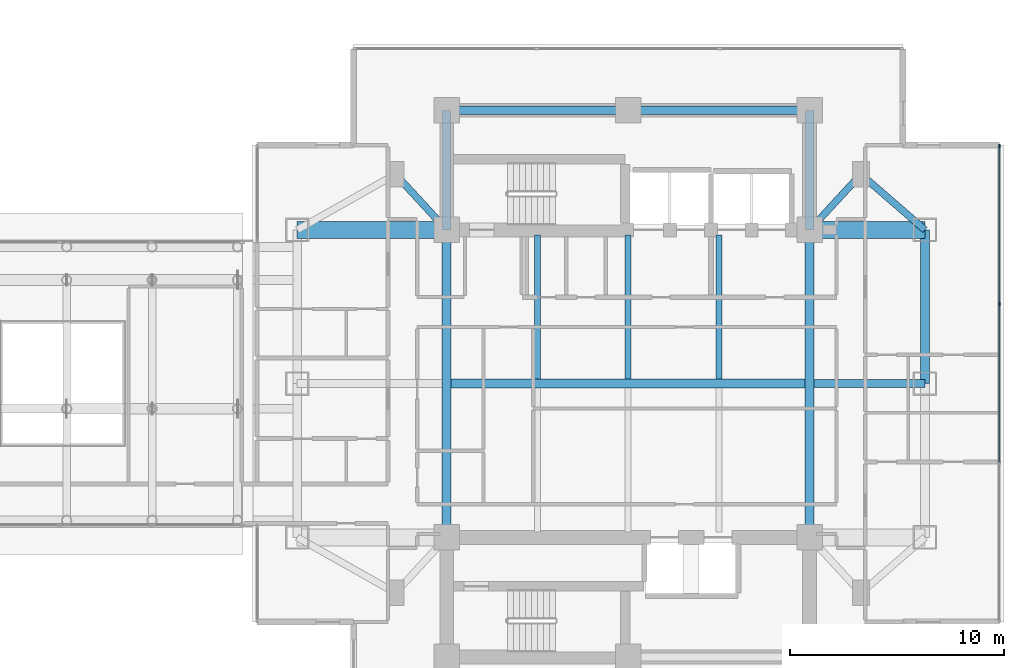
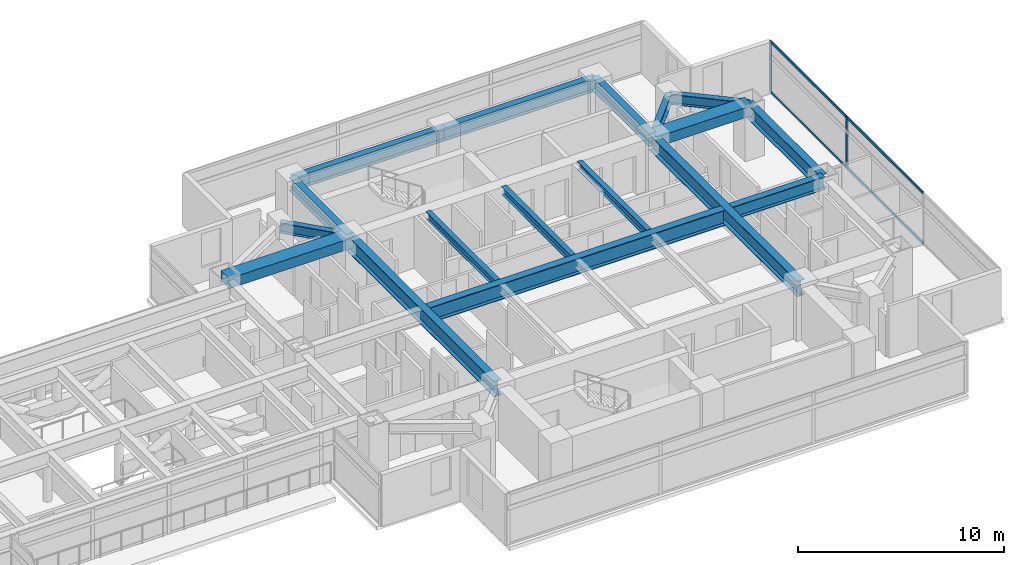
# One storey, part 10 of 28: 17 beams, 6 members, 1 element without a shape of its own.
"""IFC4 building model written with IfcOpenShell, lengths in metres."""

from ifc_helpers import new_model, si_unit, direction, frame, origin, origin_2d, place, context, subcontext, project, spatial, rectangle, i_section, extrude, material, material_profile, profile_set, type_object, element, aggregate, save


model = new_model("IFC4")

# Units and contexts
model_context = context("Model", 3, precision=1e-05, world=origin(), true_north=direction((0.0, 1.0)))
body_context = subcontext(model_context, "Body", "Model", "MODEL_VIEW")
ifc_project = project(units=[si_unit("LENGTHUNIT", "METRE"), si_unit("AREAUNIT", "SQUARE_METRE"), si_unit("VOLUMEUNIT", "CUBIC_METRE"), si_unit("PLANEANGLEUNIT", "RADIAN"), si_unit("MASSUNIT", "GRAM", prefix="KILO")], contexts=[model_context])

# Site, building, storey
site_placement = place(None, origin())
site = spatial("IfcSite", under=ifc_project, at=site_placement, CompositionType="ELEMENT")
building_placement = place(site_placement, origin())
building = spatial("IfcBuilding", under=site, at=building_placement, Name="Mirazonda Arch Towers", CompositionType="ELEMENT")
storey_placement = place(building_placement, frame((0.0, 0.0, 91.699951171875)))
storey = spatial("IfcBuildingStorey", under=building, at=storey_placement, Name="L25", CompositionType="ELEMENT", Elevation=91.699951171875)

# Beams
ifc_material_1 = material(Name="Steel ASTM A992 Grade 50", Category="steel")
ifc_material_profile_1 = material_profile(ifc_material_1, i_section(OverallWidth=0.39990234375, OverallDepth=0.85595703125, WebThickness=0.018310546875, FlangeThickness=0.029296875, at=origin_2d()), Name="W33X201")
ifc_profile_set_1 = profile_set([ifc_material_profile_1], Name="Steel ASTM A992 Grade 50")
beam_type_1 = type_object("IfcBeamType", Name="BM-EXT-W33X201", PredefinedType="USERDEFINED", material=ifc_profile_set_1)
beam_1_placement = place(storey_placement, frame((90.39990234375, 28.0, 2.652099609375), z_axis=(0.0, 1.0, 0.0), x_axis=(-1.0, 0.0, 0.0)))
element("IfcBeam", 1, at=beam_1_placement, inside=storey, type_object=beam_type_1, Name="L25 Floor Beam BM-T2-L25-NS-E-28", ObjectType="GIRDER", PredefinedType="USERDEFINED", context=body_context, shape_type="SweptSolid", body=[
    extrude(i_section(OverallWidth=0.39990234375, OverallDepth=0.85595703125, WebThickness=0.018310546875, FlangeThickness=0.029296875, at=origin_2d()), origin(), (0.0, 0.0, 1.0), 7.199951171875),
])
ifc_material_profile_2 = material_profile(ifc_material_1, i_section(OverallWidth=0.280029296875, OverallDepth=0.462890625, WebThickness=0.0107421875, FlangeThickness=0.017333984375, at=origin_2d()), Name="W18X76")
ifc_profile_set_2 = profile_set([ifc_material_profile_2], Name="Steel ASTM A992 Grade 50")
beam_type_2 = type_object("IfcBeamType", Name="BM-INT-W18X76", PredefinedType="JOIST", material=ifc_profile_set_2)
for number, where, z_axis, x_axis, name in (
    (2, (72.25, 28.205078125, 2.8486328125), (0.0, 1.0, 0.0), (-1.0, 0.0, 0.0), "L25 Floor Beam BM-T2-L25-J-722-28"),
    (3, (76.5, 28.205078125, 2.8486328125), (0.0, 1.0, 0.0), (-1.0, 0.0, 0.0), "L25 Floor Beam BM-T2-L25-J-765-28"),
    (4, (80.75, 28.205078125, 2.8486328125), (0.0, 1.0, 0.0), (-1.0, 0.0, 0.0), "L25 Floor Beam BM-T2-L25-J-807-28"),
):
    element("IfcBeam", number, at=place(storey_placement, frame(where, z_axis=z_axis, x_axis=x_axis)), inside=storey, type_object=beam_type_2, Name=name, PredefinedType="JOIST", context=body_context, shape_type="SweptSolid", body=[
        extrude(i_section(OverallWidth=0.280029296875, OverallDepth=0.462890625, WebThickness=0.0107421875, FlangeThickness=0.017333984375, at=origin_2d()), origin(), (0.0, 0.0, 1.0), 6.7548828125),
    ])
ifc_material_profile_3 = material_profile(ifc_material_1, i_section(OverallWidth=0.324951171875, OverallDepth=0.615966796875, WebThickness=0.013916015625, FlangeThickness=0.021484375, at=origin_2d()), Name="W24X117")
ifc_profile_set_3 = profile_set([ifc_material_profile_3], Name="Steel ASTM A992 Grade 50")
beam_type_3 = type_object("IfcBeamType", Name="BM-INT-W24X117", PredefinedType="BEAM", material=ifc_profile_set_3)
for number, where, z_axis, x_axis, name in (
    (5, (65.60009765625, 37.800048828125, 2.77197265625), (0.678251444854, -0.734829897019, 0.0), (0.734829897019, 0.678251444854, 0.0), "L25 Floor Beam BM-T2-L25-PL-NW1"),
    (6, (87.39990234375, 37.800048828125, 2.77197265625), (-0.678251444854, -0.734829897019, 0.0), (0.734829897019, -0.678251444854, 0.0), "L25 Floor Beam BM-T2-L25-PL-NE1"),
):
    element("IfcBeam", number, at=place(storey_placement, frame(where, z_axis=z_axis, x_axis=x_axis)), inside=storey, type_object=beam_type_3, Name=name, PredefinedType="BEAM", context=body_context, shape_type="SweptSolid", body=[
        extrude(i_section(OverallWidth=0.324951171875, OverallDepth=0.615966796875, WebThickness=0.013916015625, FlangeThickness=0.021484375, at=origin_2d()), origin(), (0.0, 0.0, 1.0), 3.538330078125),
    ])
beam_2_placement = place(storey_placement, frame((87.39990234375, 37.800048828125, 2.77197265625), z_axis=(0.755676908098, -0.654944585876, 0.0), x_axis=(0.654944585876, 0.755676908098, 0.0)))
element("IfcBeam", 7, at=beam_2_placement, inside=storey, type_object=beam_type_3, Name="L25 Floor Beam BM-T2-L25-PL-NE2", PredefinedType="BEAM", context=body_context, shape_type="SweptSolid", body=[
    extrude(i_section(OverallWidth=0.324951171875, OverallDepth=0.615966796875, WebThickness=0.013916015625, FlangeThickness=0.021484375, at=origin_2d()), origin(), (0.0, 0.0, 1.0), 3.969970703125),
])
ifc_material_profile_4 = material_profile(ifc_material_1, i_section(OverallWidth=0.381103515625, OverallDepth=0.77294921875, WebThickness=0.0166015625, FlangeThickness=0.027099609375, at=origin_2d()), Name="W30X173")
ifc_profile_set_4 = profile_set([ifc_material_profile_4], Name="Steel ASTM A992 Grade 50")
beam_type_4 = type_object("IfcBeamType", Name="BM-INT-W30X173", PredefinedType="USERDEFINED", material=ifc_profile_set_4)
for number, where, z_axis, x_axis, name in (
    (8, (68.0, 40.800048828125, 2.693603515625), (1.0, 0.0, 0.0), (0.0, 1.0, 0.0), "L25 Floor Beam BM-T2-L25-CN1"),
    (9, (76.5, 40.800048828125, 2.693603515625), (1.0, 0.0, 0.0), (0.0, 1.0, 0.0), "L25 Floor Beam BM-T2-L25-CN2"),
):
    element("IfcBeam", number, at=place(storey_placement, frame(where, z_axis=z_axis, x_axis=x_axis)), inside=storey, type_object=beam_type_4, Name=name, ObjectType="GIRDER", PredefinedType="USERDEFINED", context=body_context, shape_type="SweptSolid", body=[
        extrude(i_section(OverallWidth=0.381103515625, OverallDepth=0.77294921875, WebThickness=0.0166015625, FlangeThickness=0.027099609375, at=origin_2d()), origin(), (0.0, 0.0, 1.0), 8.5),
    ])
for number, where, z_axis, x_axis, name in (
    (10, (68.0, 35.199951171875, 2.693603515625), (0.0, 1.0, 0.0), (-1.0, 0.0, 0.0), "L25 Floor Beam BM-T2-L25-CNW"),
    (11, (85.0, 35.199951171875, 2.693603515625), (0.0, 1.0, 0.0), (-1.0, 0.0, 0.0), "L25 Floor Beam BM-T2-L25-CNE"),
):
    element("IfcBeam", number, at=place(storey_placement, frame(where, z_axis=z_axis, x_axis=x_axis)), inside=storey, type_object=beam_type_4, Name=name, ObjectType="GIRDER", PredefinedType="USERDEFINED", context=body_context, shape_type="SweptSolid", body=[
        extrude(i_section(OverallWidth=0.381103515625, OverallDepth=0.77294921875, WebThickness=0.0166015625, FlangeThickness=0.027099609375, at=origin_2d()), origin(), (0.0, 0.0, 1.0), 5.60009765625),
    ])
beam_3_placement = place(storey_placement, frame((85.208984375, 28.0, 2.693603515625), z_axis=(1.0, 0.0, 0.0), x_axis=(0.0, 1.0, 0.0)))
element("IfcBeam", 12, at=beam_3_placement, inside=storey, type_object=beam_type_4, Name="L25 Floor Beam BM-T2-L25-GE2", ObjectType="GIRDER", PredefinedType="USERDEFINED", context=body_context, shape_type="SweptSolid", body=[
    extrude(i_section(OverallWidth=0.381103515625, OverallDepth=0.77294921875, WebThickness=0.0166015625, FlangeThickness=0.027099609375, at=origin_2d()), origin(), (0.0, 0.0, 1.0), 5.19091796875),
])
ifc_material_profile_5 = material_profile(ifc_material_1, i_section(OverallWidth=0.41796875, OverallDepth=0.927001953125, WebThickness=0.019287109375, FlangeThickness=0.031982421875, at=origin_2d()), Name="W36X231")
ifc_profile_set_5 = profile_set([ifc_material_profile_5], Name="Steel ASTM A992 Grade 50")
beam_type_5 = type_object("IfcBeamType", Name="BM-INT-W36X231", PredefinedType="USERDEFINED", material=ifc_profile_set_5)
beam_4_placement = place(storey_placement, frame((68.208984375, 28.0, 2.616455078125), z_axis=(1.0, 0.0, 0.0), x_axis=(0.0, 1.0, 0.0)))
element("IfcBeam", 13, at=beam_4_placement, inside=storey, type_object=beam_type_5, Name="L25 Floor Beam BM-T2-L25-GC2", ObjectType="GIRDER", PredefinedType="USERDEFINED", context=body_context, shape_type="SweptSolid", body=[
    extrude(i_section(OverallWidth=0.41796875, OverallDepth=0.927001953125, WebThickness=0.019287109375, FlangeThickness=0.031982421875, at=origin_2d()), origin(), (0.0, 0.0, 1.0), 16.58203125),
])
for number, where, z_axis, x_axis, name in (
    (14, (68.0, 20.800048828125, 2.616455078125), (0.0, 1.0, 0.0), (-1.0, 0.0, 0.0), "L25 Floor Beam BM-T2-L25-NS-CW-FULL"),
    (15, (85.0, 20.800048828125, 2.616455078125), (0.0, 1.0, 0.0), (-1.0, 0.0, 0.0), "L25 Floor Beam BM-T2-L25-NS-CE-FULL"),
):
    element("IfcBeam", number, at=place(storey_placement, frame(where, z_axis=z_axis, x_axis=x_axis)), inside=storey, type_object=beam_type_5, Name=name, ObjectType="GIRDER", PredefinedType="USERDEFINED", context=body_context, shape_type="SweptSolid", body=[
        extrude(i_section(OverallWidth=0.41796875, OverallDepth=0.927001953125, WebThickness=0.019287109375, FlangeThickness=0.031982421875, at=origin_2d()), origin(), (0.0, 0.0, 1.0), 14.39990234375),
    ])
ifc_material_2 = material(Name="Concrete C60/75", Category="concrete")
ifc_material_profile_6 = material_profile(ifc_material_2, rectangle(XDim=0.800048828125, YDim=0.60009765625, at=origin_2d()), Name="RCCB800x600")
ifc_profile_set_6 = profile_set([ifc_material_profile_6], Name="Concrete C60/75")
beam_type_6 = type_object("IfcBeamType", Name="CB-INT-RCCB800x600", PredefinedType="SPANDREL", material=ifc_profile_set_6)
beam_5_placement = place(storey_placement, frame((61.0, 35.199951171875, 2.780029296875), z_axis=(1.0, 0.0, 0.0), x_axis=(0.0, 1.0, 0.0)))
element("IfcBeam", 16, at=beam_5_placement, inside=storey, type_object=beam_type_6, Name="L25 Floor Beam CBC-T2-L25-NW", PredefinedType="SPANDREL", context=body_context, shape_type="SweptSolid", body=[
    extrude(rectangle(XDim=0.800048828125, YDim=0.60009765625, at=origin_2d()), origin(), (0.0, 0.0, 1.0), 7.0),
])
beam_6_placement = place(storey_placement, frame((85.0, 35.199951171875, 2.780029296875), z_axis=(1.0, 0.0, 0.0), x_axis=(0.0, 1.0, 0.0)))
element("IfcBeam", 17, at=beam_6_placement, inside=storey, type_object=beam_type_6, Name="L25 Floor Beam CBC-T2-L25-NE", PredefinedType="SPANDREL", context=body_context, shape_type="SweptSolid", body=[
    extrude(rectangle(XDim=0.800048828125, YDim=0.60009765625, at=origin_2d()), origin(), (0.0, 0.0, 1.0), 5.39990234375),
])

# Curtain wall, members
ifc_material_3 = material(Name="Anodised Aluminium and Low-E Glass", Category="aluminium")
curtain_wall_type = type_object("IfcCurtainWallType", Name="CW-HTL-UNIT", PredefinedType="NOTDEFINED", material=ifc_material_3)
curtain_wall_placement = place(storey_placement, origin())
curtain_wall = element("IfcCurtainWall", 18, at=curtain_wall_placement, inside=storey, type_object=curtain_wall_type, Name="L25 T2 E Facade CW-L25-T2-E", PredefinedType="NOTDEFINED")
ifc_material_4 = material(Name="Anodised Aluminium Alloy", Category="aluminium")
ifc_material_profile_7 = material_profile(ifc_material_4, rectangle(XDim=0.074951171875, YDim=0.1650390625, at=origin_2d()), Name="ALU-MULL-75x165")
ifc_profile_set_7 = profile_set([ifc_material_profile_7], Name="Anodised Aluminium Alloy")
member_type_1 = type_object("IfcMemberType", Name="MULL-CW-HTL-UNIT", PredefinedType="MULLION", material=ifc_profile_set_7)
member_1_placement = place(storey_placement, frame((93.880615234375, 31.721435546875, 0.0), z_axis=(0.0, 0.0, 1.0), x_axis=(-1.0, 0.0, 0.0)))
member_1 = element("IfcMember", 19, at=member_1_placement, type_object=member_type_1, Name="CW-112 mullion 3", PredefinedType="MULLION", context=body_context, shape_type="SweptSolid", body=[
    extrude(rectangle(XDim=0.074951171875, YDim=0.1650390625, at=origin_2d()), origin(), (0.0, 0.0, 1.0), 3.06005859375),
])
member_2_placement = place(storey_placement, frame((93.880615234375, 39.126953125, 0.0), z_axis=(0.0, 0.0, 1.0), x_axis=(-1.0, 0.0, 0.0)))
member_2 = element("IfcMember", 20, at=member_2_placement, type_object=member_type_1, Name="CW-112 mullion 4", PredefinedType="MULLION", context=body_context, shape_type="SweptSolid", body=[
    extrude(rectangle(XDim=0.074951171875, YDim=0.1650390625, at=origin_2d()), origin(), (0.0, 0.0, 1.0), 3.06005859375),
])
ifc_material_profile_8 = material_profile(ifc_material_4, rectangle(XDim=0.074951171875, YDim=0.14501953125, at=origin_2d()), Name="ALU-TRAN-75x145")
ifc_profile_set_8 = profile_set([ifc_material_profile_8], Name="Anodised Aluminium Alloy")
member_type_2 = type_object("IfcMemberType", Name="TRAN-CW-HTL-UNIT", PredefinedType="USERDEFINED", material=ifc_profile_set_8)
member_3_placement = place(storey_placement, frame((93.880615234375, 24.31591796875, 0.03759765625), z_axis=(0.0, 1.0, 0.0), x_axis=(-1.0, 0.0, 0.0)))
member_3 = element("IfcMember", 21, at=member_3_placement, type_object=member_type_2, Name="CW-112 transom 2.1", ObjectType="TRANSOM", PredefinedType="USERDEFINED", context=body_context, shape_type="SweptSolid", body=[
    extrude(rectangle(XDim=0.074951171875, YDim=0.14501953125, at=origin_2d()), origin(), (0.0, 0.0, 1.0), 7.3681640625),
])
member_4_placement = place(storey_placement, frame((93.880615234375, 24.31591796875, 3.0224609375), z_axis=(0.0, 1.0, 0.0), x_axis=(-1.0, 0.0, 0.0)))
member_4 = element("IfcMember", 22, at=member_4_placement, type_object=member_type_2, Name="CW-112 transom 2.2", ObjectType="TRANSOM", PredefinedType="USERDEFINED", context=body_context, shape_type="SweptSolid", body=[
    extrude(rectangle(XDim=0.074951171875, YDim=0.14501953125, at=origin_2d()), origin(), (0.0, 0.0, 1.0), 7.3681640625),
])
member_5_placement = place(storey_placement, frame((93.880615234375, 31.759033203125, 0.03759765625), z_axis=(0.0, 1.0, 0.0), x_axis=(-1.0, 0.0, 0.0)))
member_5 = element("IfcMember", 23, at=member_5_placement, type_object=member_type_2, Name="CW-112 transom 3.1", ObjectType="TRANSOM", PredefinedType="USERDEFINED", context=body_context, shape_type="SweptSolid", body=[
    extrude(rectangle(XDim=0.074951171875, YDim=0.14501953125, at=origin_2d()), origin(), (0.0, 0.0, 1.0), 7.33056640625),
])
member_6_placement = place(storey_placement, frame((93.880615234375, 31.759033203125, 3.0224609375), z_axis=(0.0, 1.0, 0.0), x_axis=(-1.0, 0.0, 0.0)))
member_6 = element("IfcMember", 24, at=member_6_placement, type_object=member_type_2, Name="CW-112 transom 3.2", ObjectType="TRANSOM", PredefinedType="USERDEFINED", context=body_context, shape_type="SweptSolid", body=[
    extrude(rectangle(XDim=0.074951171875, YDim=0.14501953125, at=origin_2d()), origin(), (0.0, 0.0, 1.0), 7.33056640625),
])
aggregate(curtain_wall, [member_1, member_2, member_3, member_4, member_5, member_6])

save(model, "model.ifc")
